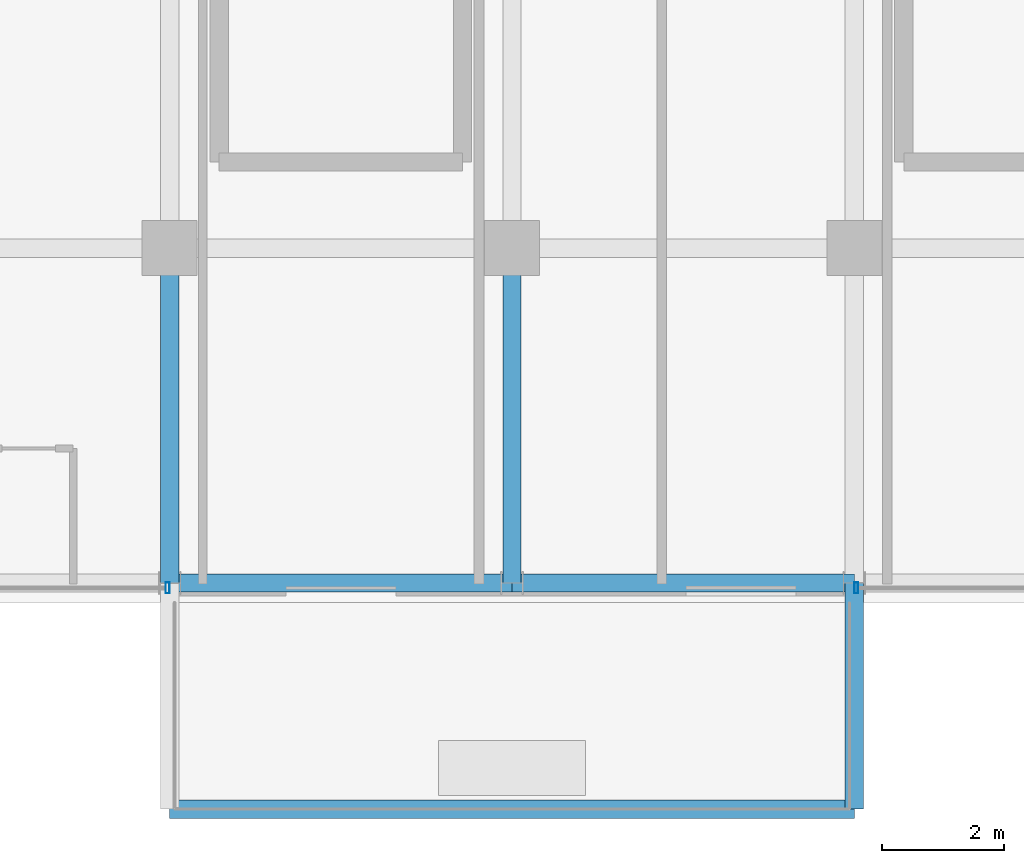
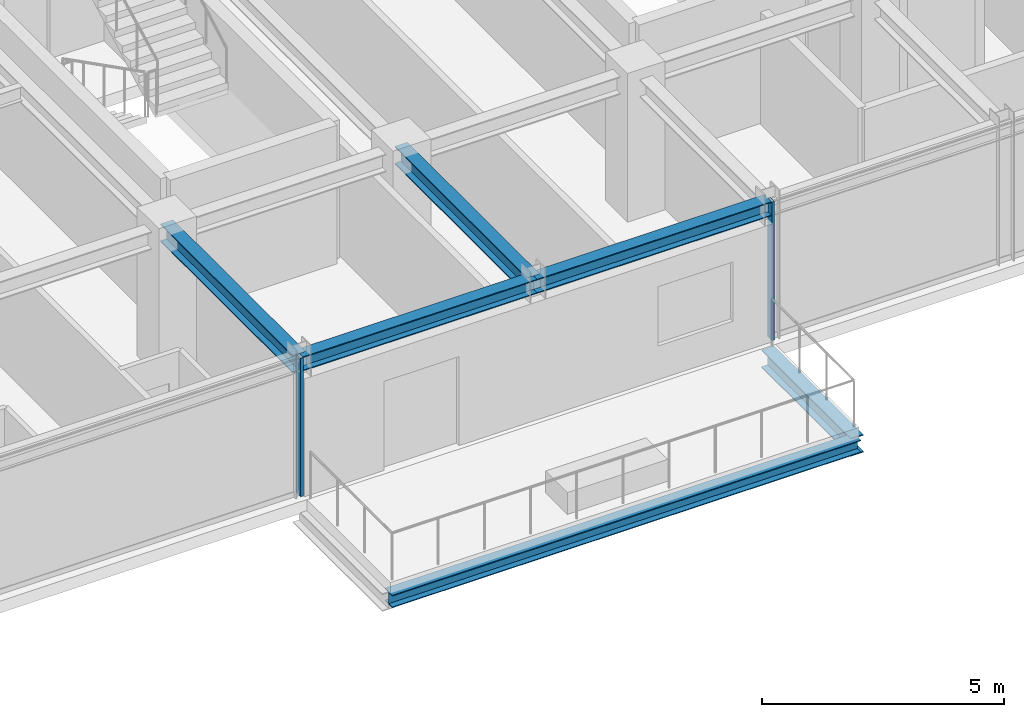
# One storey, part 7 of 31: 6 beams, 2 members, 2 elements without a shape of their own.
"""IFC4 building model written with IfcOpenShell, lengths in metres."""

from ifc_helpers import new_model, si_unit, direction, frame, origin, origin_2d, place, context, subcontext, project, spatial, hollow_rectangle, i_section, extrude, source, transform, mapped, material, material_profile, profile_set, type_object, element, aggregate, save


model = new_model("IFC4")

# Units and contexts
model_context = context("Model", 3, precision=1e-05, world=origin(), true_north=direction((0.0, 1.0)))
body_context = subcontext(model_context, "Body", "Model", "MODEL_VIEW")
ifc_project = project(units=[si_unit("LENGTHUNIT", "METRE"), si_unit("AREAUNIT", "SQUARE_METRE"), si_unit("VOLUMEUNIT", "CUBIC_METRE"), si_unit("PLANEANGLEUNIT", "RADIAN"), si_unit("MASSUNIT", "GRAM", prefix="KILO")], contexts=[model_context])

# Site, building, storey
site_placement = place(None, origin())
site = spatial("IfcSite", under=ifc_project, at=site_placement, CompositionType="ELEMENT")
building_placement = place(site_placement, origin())
building = spatial("IfcBuilding", under=site, at=building_placement, Name="Nahalor Promenade Grand Hotel", CompositionType="ELEMENT")
storey_placement = place(building_placement, frame((0.0, 0.0, 323.35009765625)))
storey = spatial("IfcBuildingStorey", under=building, at=storey_placement, Name="L83", CompositionType="ELEMENT", Elevation=323.35009765625)

# Beams
ifc_material_1 = material(Name="Steel S355JR", Category="steel")
ifc_material_profile_1 = material_profile(ifc_material_1, i_section(OverallWidth=0.3, OverallDepth=0.32, WebThickness=0.0115, FlangeThickness=0.0205, at=origin_2d()), Name="HEB 320")
ifc_profile_set_1 = profile_set([ifc_material_profile_1], Name="Steel S355JR")
beam_type_1 = type_object("IfcBeamType", Name="Beam-BalcEdge-HEB320", PredefinedType="SPANDREL", material=ifc_profile_set_1)
shared_shape_1 = source(origin(), body_context, "Body", "SweptSolid", [
    extrude(i_section(OverallWidth=0.3, OverallDepth=0.32, WebThickness=0.0115, FlangeThickness=0.0205, at=origin_2d()), origin(), (0.0, 0.0, 1.0), 11.199951171875),
])
beam_1_placement = place(storey_placement, frame((-8.39990234375, -26.179931640625, -0.440185546875), z_axis=(1.0, 0.0, 0.0), x_axis=(0.0, 1.0, 0.0)))
element("IfcBeam", 1, at=beam_1_placement, inside=storey, type_object=beam_type_1, Name="BM-L83-BC-01-F", PredefinedType="SPANDREL", context=body_context, shape_type="MappedRepresentation", body=[
    mapped(shared_shape_1, transform((0.0, 0.0, 0.0), scale=1.0)),
])
ifc_material_profile_2 = material_profile(ifc_material_1, i_section(OverallWidth=0.3, OverallDepth=0.45, WebThickness=0.014, FlangeThickness=0.026, at=origin_2d()), Name="HEB 450")
ifc_profile_set_2 = profile_set([ifc_material_profile_2], Name="Steel S355JR")
beam_type_2 = type_object("IfcBeamType", Name="Beam-Outrigger-HEB450", PredefinedType="BEAM", material=ifc_profile_set_2)
shared_shape_2 = source(origin(), body_context, "Body", "SweptSolid", [
    extrude(i_section(OverallWidth=0.3, OverallDepth=0.45, WebThickness=0.014, FlangeThickness=0.026, at=origin_2d()), origin(), (0.0, 0.0, 1.0), 3.699951171875),
])
beam_2_placement = place(storey_placement, frame((2.800048828125, -26.179931640625, -0.505126953125), z_axis=(0.0, 1.0, 0.0), x_axis=(-1.0, 0.0, 0.0)))
element("IfcBeam", 2, at=beam_2_placement, inside=storey, type_object=beam_type_2, Name="BM-L83-BC-01-2", PredefinedType="BEAM", context=body_context, shape_type="MappedRepresentation", body=[
    mapped(shared_shape_2, transform((0.0, 0.0, 0.0), scale=1.0)),
])
ifc_material_profile_3 = material_profile(ifc_material_1, i_section(OverallWidth=0.3, OverallDepth=0.45, WebThickness=0.014, FlangeThickness=0.026, at=origin_2d()), Name="HEB 450")
ifc_profile_set_3 = profile_set([ifc_material_profile_3], Name="Steel S355JR")
beam_type_3 = type_object("IfcBeamType", Name="Beam-Girder-HEB450", PredefinedType="BEAM", material=ifc_profile_set_3)
shared_shape_3 = source(origin(), body_context, "Body", "SweptSolid", [
    extrude(i_section(OverallWidth=0.3, OverallDepth=0.45, WebThickness=0.014, FlangeThickness=0.026, at=origin_2d()), origin(), (0.0, 0.0, 1.0), 5.47998046875),
])
for number, where, z_axis, x_axis, name in (
    (3, (-8.39990234375, -22.47998046875, 3.27490234375), (0.0, 1.0, 0.0), (-1.0, 0.0, 0.0), "BM-L83-GY-1-0"),
    (4, (-2.800048828125, -22.47998046875, 3.27490234375), (0.0, 1.0, 0.0), (-1.0, 0.0, 0.0), "BM-L83-GY-2-0"),
):
    element("IfcBeam", number, at=place(storey_placement, frame(where, z_axis=z_axis, x_axis=x_axis)), inside=storey, type_object=beam_type_3, Name=name, PredefinedType="BEAM", context=body_context, shape_type="MappedRepresentation", body=[
        mapped(shared_shape_3, transform((0.0, 0.0, 0.0), scale=1.0)),
    ])
ifc_material_profile_4 = material_profile(ifc_material_1, i_section(OverallWidth=0.3, OverallDepth=0.36, WebThickness=0.0125, FlangeThickness=0.0225, at=origin_2d()), Name="HEB 360")
ifc_profile_set_4 = profile_set([ifc_material_profile_4], Name="Steel S355JR")
beam_type_4 = type_object("IfcBeamType", Name="Beam-Spandrel-HEB360", PredefinedType="SPANDREL", material=ifc_profile_set_4)
shared_shape_4 = source(origin(), body_context, "Body", "SweptSolid", [
    extrude(i_section(OverallWidth=0.3, OverallDepth=0.36, WebThickness=0.0125, FlangeThickness=0.0225, at=origin_2d()), origin(), (0.0, 0.0, 1.0), 5.599853515625),
])
beam_3_placement = place(storey_placement, frame((-8.39990234375, -22.47998046875, 3.31982421875), z_axis=(1.0, 0.0, 0.0), x_axis=(0.0, 1.0, 0.0)))
element("IfcBeam", 5, at=beam_3_placement, inside=storey, type_object=beam_type_4, Name="BM-L83-SP-S-1", PredefinedType="SPANDREL", context=body_context, shape_type="MappedRepresentation", body=[
    mapped(shared_shape_4, transform((0.0, 0.0, 0.0), scale=1.0)),
])
shared_shape_5 = source(origin(), body_context, "Body", "SweptSolid", [
    extrude(i_section(OverallWidth=0.3, OverallDepth=0.36, WebThickness=0.0125, FlangeThickness=0.0225, at=origin_2d()), origin(), (0.0, 0.0, 1.0), 5.60009765625),
])
beam_4_placement = place(storey_placement, frame((-2.800048828125, -22.47998046875, 3.31982421875), z_axis=(1.0, 0.0, 0.0), x_axis=(0.0, 1.0, 0.0)))
element("IfcBeam", 6, at=beam_4_placement, inside=storey, type_object=beam_type_4, Name="BM-L83-SP-S-2", PredefinedType="SPANDREL", context=body_context, shape_type="MappedRepresentation", body=[
    mapped(shared_shape_5, transform((0.0, 0.0, 0.0), scale=1.0)),
])

# Curtain wall, member
ifc_material_2 = material(Name="Anodised Bronze Aluminium EN AW-6063 T6", Category="aluminium")
curtain_wall_type = type_object("IfcCurtainWallType", Name="CW2 Typical Hotel Flush Bronze Unitised Curtain Wall", PredefinedType="USERDEFINED", material=ifc_material_2)
curtain_wall_1_placement = place(storey_placement, origin())
curtain_wall_1 = element("IfcCurtainWall", 7, at=curtain_wall_1_placement, inside=storey, type_object=curtain_wall_type, Name="L83 Curtain Wall CW-L83-S-1", ObjectType="UNITISED_CURTAIN_WALL", PredefinedType="USERDEFINED")
ifc_material_profile_5 = material_profile(ifc_material_2, hollow_rectangle(XDim=0.065, YDim=0.18, WallThickness=0.004, at=origin_2d()), Name="CWM 65x180x4")
ifc_profile_set_5 = profile_set([ifc_material_profile_5], Name="Anodised Bronze Aluminium EN AW-6063 T6")
member_type = type_object("IfcMemberType", Name="CWM2 Typical Bronze Mullion 65x180", PredefinedType="MULLION", material=ifc_profile_set_5)
shared_shape_6 = source(origin(), body_context, "Body", "SweptSolid", [
    extrude(hollow_rectangle(XDim=0.065, YDim=0.18, WallThickness=0.004, at=origin_2d()), origin(), (0.0, 0.0, 1.0), 3.5),
])
member_1_placement = place(storey_placement, frame((-8.4326171875, -22.56005859375, 0.0), z_axis=(0.0, 0.0, 1.0), x_axis=(1.0, 0.0, 0.0)))
member_1 = element("IfcMember", 8, at=member_1_placement, type_object=member_type, Name="CW-L83-S-1 Mullion 1", PredefinedType="MULLION", context=body_context, shape_type="MappedRepresentation", body=[
    mapped(shared_shape_6, transform((0.0, 0.0, 0.0), scale=1.0)),
])
aggregate(curtain_wall_1, [member_1])

curtain_wall_2_placement = place(storey_placement, origin())
curtain_wall_2 = element("IfcCurtainWall", 9, at=curtain_wall_2_placement, inside=storey, type_object=curtain_wall_type, Name="L83 Curtain Wall CW-L83-S-3", ObjectType="UNITISED_CURTAIN_WALL", PredefinedType="USERDEFINED")
member_2_placement = place(storey_placement, frame((2.83251953125, -22.56005859375, 0.0), z_axis=(0.0, 0.0, 1.0), x_axis=(1.0, 0.0, 0.0)))
member_2 = element("IfcMember", 10, at=member_2_placement, type_object=member_type, Name="CW-L83-S-3 Mullion 0", PredefinedType="MULLION", context=body_context, shape_type="MappedRepresentation", body=[
    mapped(shared_shape_6, transform((0.0, 0.0, 0.0), scale=1.0)),
])
aggregate(curtain_wall_2, [member_2])

save(model, "model.ifc")
